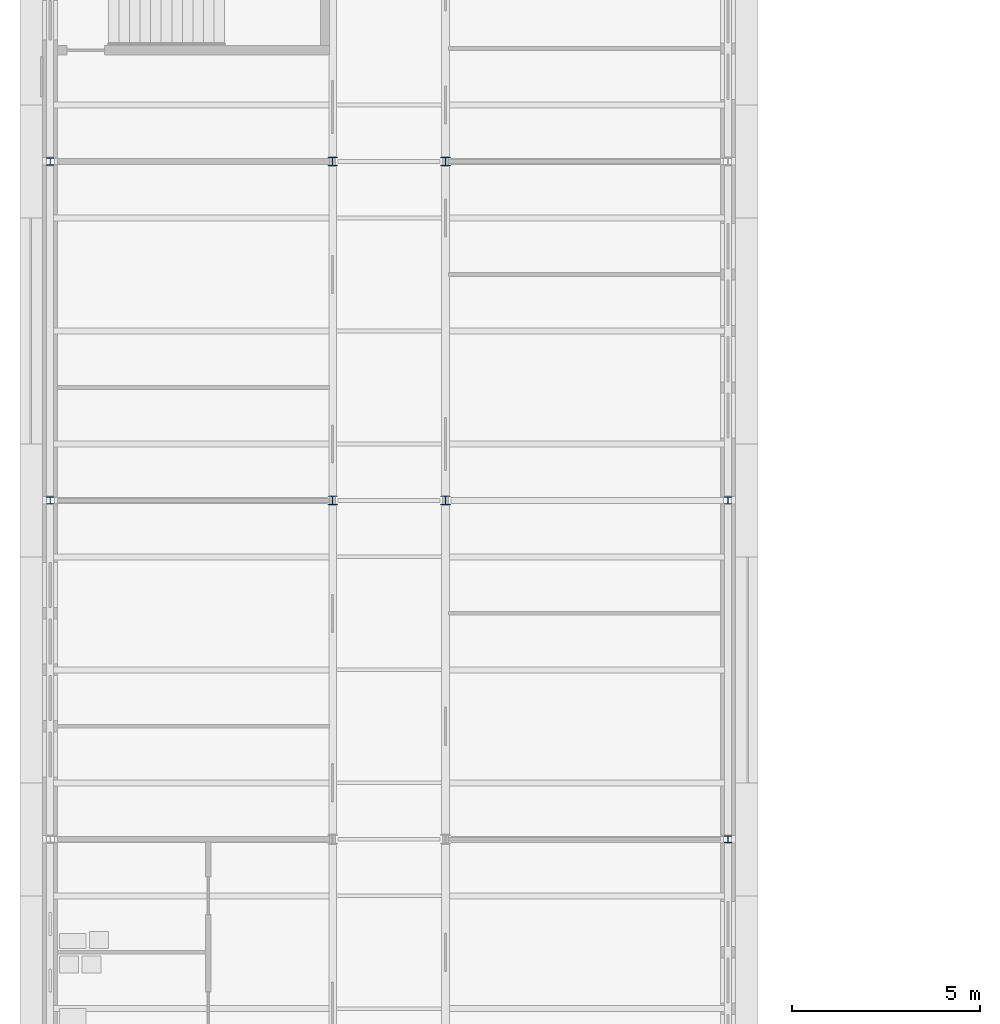
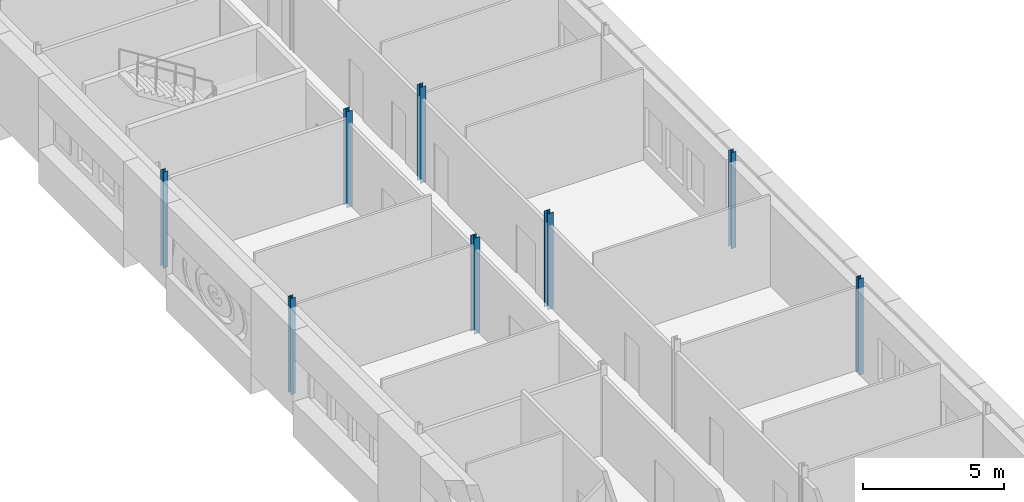
# One storey, part 2 of 42: 8 columns.
"""IFC4 building model written with IfcOpenShell, lengths in metres."""

from ifc_helpers import new_model, si_unit, direction, frame, origin, origin_2d, place, context, subcontext, project, spatial, i_section, extrude, material, material_profile, profile_set, type_object, element, save


model = new_model("IFC4")

# Units and contexts
model_context = context("Model", 3, precision=1e-05, world=origin(), true_north=direction((0.0, 1.0)))
body_context = subcontext(model_context, "Body", "Model", "MODEL_VIEW")
ifc_project = project(units=[si_unit("LENGTHUNIT", "METRE"), si_unit("AREAUNIT", "SQUARE_METRE"), si_unit("VOLUMEUNIT", "CUBIC_METRE"), si_unit("PLANEANGLEUNIT", "RADIAN"), si_unit("MASSUNIT", "GRAM", prefix="KILO")], contexts=[model_context])

# Site, building, storey
site_placement = place(None, origin())
site = spatial("IfcSite", under=ifc_project, at=site_placement, CompositionType="ELEMENT")
building_placement = place(site_placement, origin())
building = spatial("IfcBuilding", under=site, at=building_placement, Name="Golden Quay Civic Hall", CompositionType="ELEMENT")
storey_placement = place(building_placement, frame((0.0, 0.0, 22.800048828125)))
storey = spatial("IfcBuildingStorey", under=building, at=storey_placement, Name="L05", CompositionType="ELEMENT", Elevation=22.800048828125)

# Columns
ifc_material_1 = material(Name="Steel S355", Category="steel")
ifc_material_profile_1 = material_profile(ifc_material_1, i_section(OverallWidth=0.199951171875, OverallDepth=0.18994140625, WebThickness=0.006591796875, FlangeThickness=0.010009765625, FilletRadius=0.01806640625, at=origin_2d()), Name="HEA 200")
ifc_profile_set_1 = profile_set([ifc_material_profile_1], Name="Steel S355")
column_type_1 = type_object("IfcColumnType", Name="Steel column HEA 200", PredefinedType="COLUMN", material=ifc_profile_set_1)
for number, where, z_axis, x_axis, name in (
    (1, (0.0, 18.0, -0.199951171875), (0.0, 0.0, 1.0), (1.0, 0.0, 0.0), "Column 0/18 L05"),
    (2, (0.0, 27.0, -0.199951171875), (0.0, 0.0, 1.0), (1.0, 0.0, 0.0), "Column 0/27 L05"),
    (3, (18.0, 9.0, -0.199951171875), (0.0, 0.0, 1.0), (1.0, 0.0, 0.0), "Column 18/9 L05"),
    (4, (18.0, 18.0, -0.199951171875), (0.0, 0.0, 1.0), (1.0, 0.0, 0.0), "Column 18/18 L05"),
):
    element("IfcColumn", number, at=place(storey_placement, frame(where, z_axis=z_axis, x_axis=x_axis)), inside=storey, type_object=column_type_1, Name=name, PredefinedType="COLUMN", context=body_context, shape_type="SweptSolid", body=[
        extrude(i_section(OverallWidth=0.199951171875, OverallDepth=0.18994140625, WebThickness=0.006591796875, FlangeThickness=0.010009765625, FilletRadius=0.01806640625, at=origin_2d()), origin(), (0.0, 0.0, 1.0), 4.14990234375),
    ])
ifc_material_2 = material(Name="Steel S355", Category="steel")
ifc_material_profile_2 = material_profile(ifc_material_2, i_section(OverallWidth=0.239990234375, OverallDepth=0.22998046875, WebThickness=0.007568359375, FlangeThickness=0.011962890625, FilletRadius=0.02099609375, at=origin_2d()), Name="HEA 240")
ifc_profile_set_2 = profile_set([ifc_material_profile_2], Name="Steel S355")
column_type_2 = type_object("IfcColumnType", Name="Steel column HEA 240", PredefinedType="COLUMN", material=ifc_profile_set_2)
for number, where, z_axis, x_axis, name in (
    (5, (7.5, 18.0, -0.199951171875), (0.0, 0.0, 1.0), (1.0, 0.0, 0.0), "Column 7.5/18 L05"),
    (6, (7.5, 27.0, -0.199951171875), (0.0, 0.0, 1.0), (1.0, 0.0, 0.0), "Column 7.5/27 L05"),
    (7, (10.5, 18.0, -0.199951171875), (0.0, 0.0, 1.0), (1.0, 0.0, 0.0), "Column 10.5/18 L05"),
    (8, (10.5, 27.0, -0.199951171875), (0.0, 0.0, 1.0), (1.0, 0.0, 0.0), "Column 10.5/27 L05"),
):
    element("IfcColumn", number, at=place(storey_placement, frame(where, z_axis=z_axis, x_axis=x_axis)), inside=storey, type_object=column_type_2, Name=name, PredefinedType="COLUMN", context=body_context, shape_type="SweptSolid", body=[
        extrude(i_section(OverallWidth=0.239990234375, OverallDepth=0.22998046875, WebThickness=0.007568359375, FlangeThickness=0.011962890625, FilletRadius=0.02099609375, at=origin_2d()), origin(), (0.0, 0.0, 1.0), 4.14990234375),
    ])

save(model, "model.ifc")
